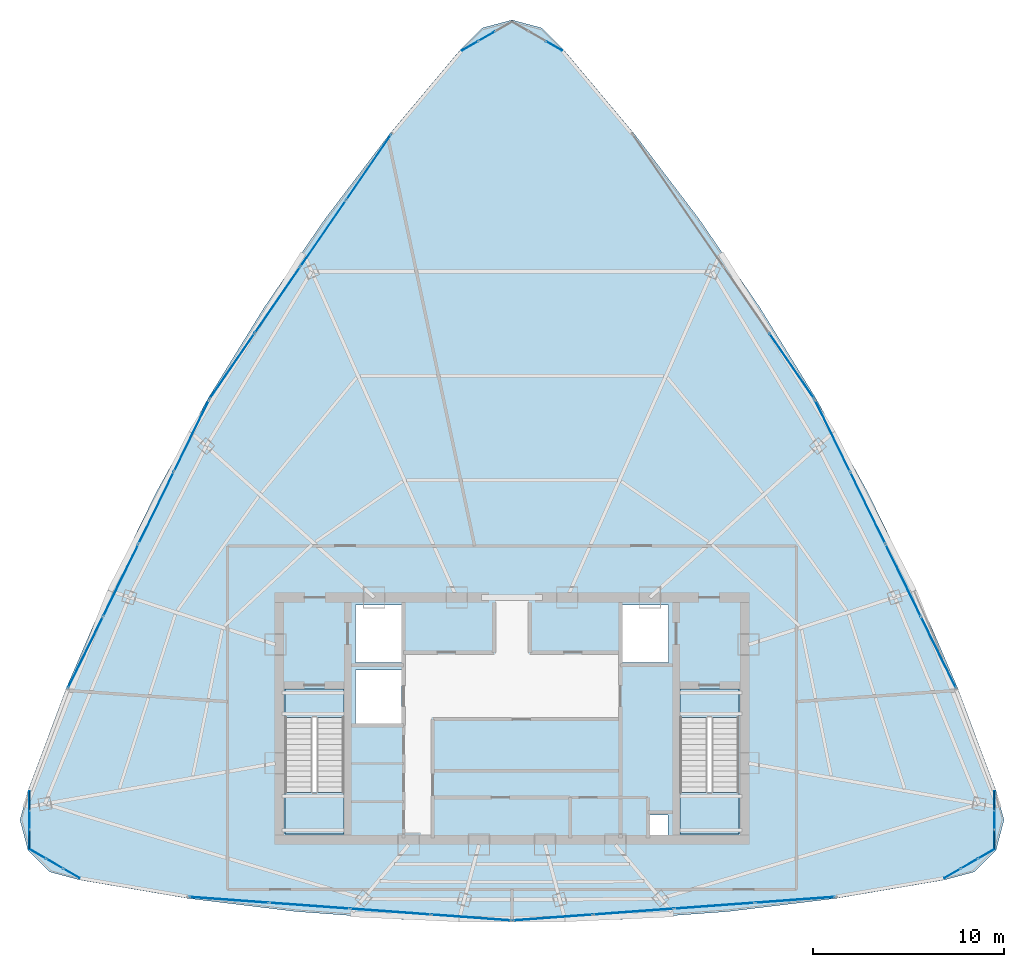
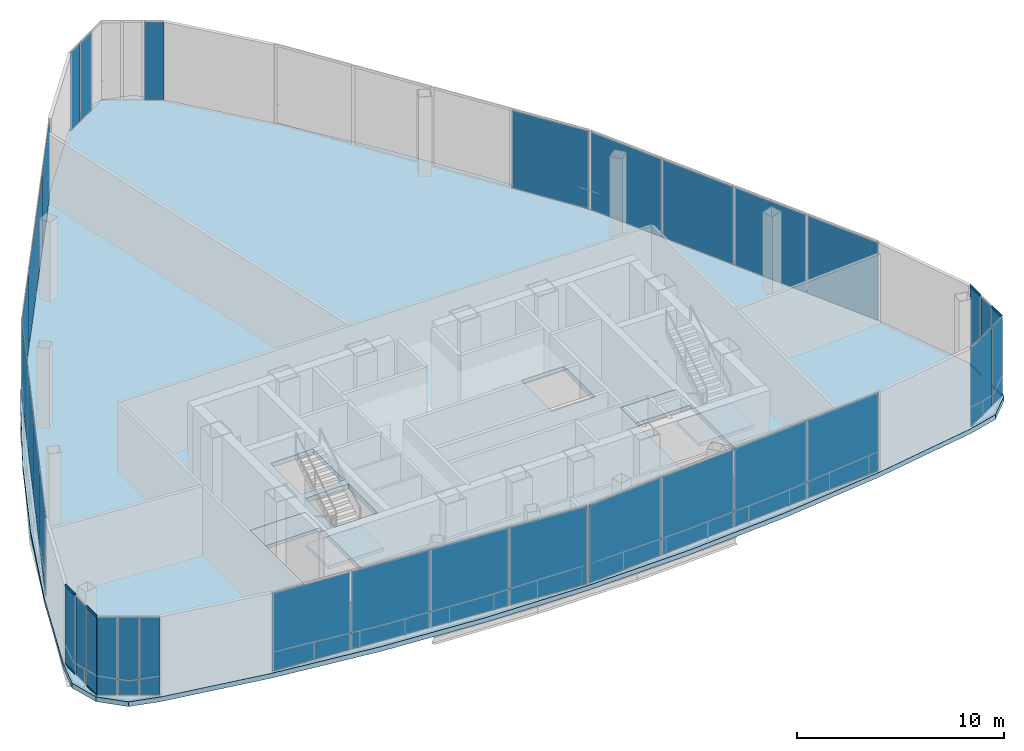
# One storey, part 28 of 33: 36 plates, 8 members, 5 slabs, 14 elements without a shape of their own.
"""IFC4 building model written with IfcOpenShell, lengths in metres."""

from ifc_helpers import new_model, si_unit, direction, frame, origin, origin_2d, place, context, subcontext, project, spatial, polyline, rectangle, hollow_rectangle, outline, extrude, source, transform, mapped, material, layer, layer_set, material_profile, profile_set, type_object, element, aggregate, save


model = new_model("IFC4")

# Units and contexts
model_context = context("Model", 3, precision=1e-05, world=origin(), true_north=direction((0.0, 1.0)))
body_context = subcontext(model_context, "Body", "Model", "MODEL_VIEW")
ifc_project = project(units=[si_unit("LENGTHUNIT", "METRE"), si_unit("AREAUNIT", "SQUARE_METRE"), si_unit("VOLUMEUNIT", "CUBIC_METRE"), si_unit("PLANEANGLEUNIT", "RADIAN"), si_unit("MASSUNIT", "GRAM", prefix="KILO"), si_unit("THERMODYNAMICTEMPERATUREUNIT", "KELVIN"), si_unit("POWERUNIT", "WATT")], contexts=[model_context])

# Site, building, storey
site_placement = place(None, origin())
site = spatial("IfcSite", under=ifc_project, at=site_placement, CompositionType="ELEMENT")
building_placement = place(site_placement, origin())
building = spatial("IfcBuilding", under=site, at=building_placement, Name="Yunzhuo Pagoda Commons", CompositionType="ELEMENT")
storey_placement = place(building_placement, frame((0.0, 0.0, 391.760009765625)))
storey = spatial("IfcBuildingStorey", under=building, at=storey_placement, Name="L97", CompositionType="ELEMENT", Elevation=391.760009765625)

# Curtain wall, members
ifc_material_1 = material(Name="Anodized aluminium 6063-T6", Category="aluminium")
ifc_layer_1 = layer(ifc_material_1, 0.1298828125)
ifc_layer_set_1 = layer_set([ifc_layer_1], Name="Anodized aluminium 6063-T6")
curtain_wall_type_1 = type_object("IfcCurtainWallType", Name="CW-VTX Rounded Corner Curtain Wall", PredefinedType="NOTDEFINED", material=ifc_layer_set_1)
curtain_wall_1_placement = place(storey_placement, origin())
curtain_wall_1 = element("IfcCurtainWall", 1, at=curtain_wall_1_placement, inside=storey, type_object=curtain_wall_type_1, Name="L97 curtain wall CW-L97-CRNV1S1", PredefinedType="NOTDEFINED")
ifc_material_profile = material_profile(ifc_material_1, hollow_rectangle(XDim=0.054931640625, YDim=0.1201171875, WallThickness=0.00341796875, at=origin_2d()), Name="Anodized aluminium 6063-T6")
ifc_profile_set = profile_set([ifc_material_profile], Name="Anodized aluminium 6063-T6")
member_type = type_object("IfcMemberType", Name="CW-VTX-T Transom RHS 120x55x3.5", PredefinedType="USERDEFINED", material=ifc_profile_set)
shared_shape_1 = source(origin(), body_context, "Body", "SweptSolid", [
    extrude(hollow_rectangle(XDim=0.054931640625, YDim=0.1201171875, WallThickness=0.00341796875, at=origin_2d()), origin(), (0.0, 0.0, 1.0), 0.963623046875),
])
member_1_placement = place(storey_placement, frame((22.728759765625, 30.0537109375, 0.027587890625), z_axis=(-0.003546975407, -0.999993709463, 0.0), x_axis=(0.999993709463, -0.003546975407, 0.0)))
member_1 = element("IfcMember", 2, at=member_1_placement, type_object=member_type, Name="CW transom 1.1", ObjectType="TRANSOM", PredefinedType="USERDEFINED", context=body_context, shape_type="MappedRepresentation", body=[
    mapped(shared_shape_1, transform((0.0, 0.0, 0.0), scale=1.0)),
])
member_2_placement = place(storey_placement, frame((22.728759765625, 30.0537109375, 4.6923828125), z_axis=(-0.003546975407, -0.999993709463, 0.0), x_axis=(0.999993709463, -0.003546975407, 0.0)))
member_2 = element("IfcMember", 3, at=member_2_placement, type_object=member_type, Name="CW transom 1.2", ObjectType="TRANSOM", PredefinedType="USERDEFINED", context=body_context, shape_type="MappedRepresentation", body=[
    mapped(shared_shape_1, transform((0.0, 0.0, 0.0), scale=1.0)),
])
member_3_placement = place(storey_placement, frame((22.7216796875, 27.989013671875, 0.027587890625), z_axis=(-0.003800327256, -0.99999277873, 0.0), x_axis=(0.99999277873, -0.003800327256, 0.0)))
member_3 = element("IfcMember", 4, at=member_3_placement, type_object=member_type, Name="CW transom 3.1", ObjectType="TRANSOM", PredefinedType="USERDEFINED", context=body_context, shape_type="MappedRepresentation", body=[
    mapped(shared_shape_1, transform((0.0, 0.0, 0.0), scale=1.0)),
])
member_4_placement = place(storey_placement, frame((22.7216796875, 27.989013671875, 4.6923828125), z_axis=(-0.003800327256, -0.99999277873, 0.0), x_axis=(0.99999277873, -0.003800327256, 0.0)))
member_4 = element("IfcMember", 5, at=member_4_placement, type_object=member_type, Name="CW transom 3.2", ObjectType="TRANSOM", PredefinedType="USERDEFINED", context=body_context, shape_type="MappedRepresentation", body=[
    mapped(shared_shape_1, transform((0.0, 0.0, 0.0), scale=1.0)),
])

curtain_wall_2_placement = place(storey_placement, origin())
curtain_wall_2 = element("IfcCurtainWall", 6, at=curtain_wall_2_placement, inside=storey, type_object=curtain_wall_type_1, Name="L97 curtain wall CW-L97-CRNV2S2", PredefinedType="NOTDEFINED")
member_5_placement = place(storey_placement, frame((73.281982421875, 27.025390625, 0.027587890625), z_axis=(-0.003293622875, 0.999994576009, 0.0), x_axis=(-0.999994576009, -0.003293622875, 0.0)))
member_5 = element("IfcMember", 7, at=member_5_placement, type_object=member_type, Name="CW transom 1.1", ObjectType="TRANSOM", PredefinedType="USERDEFINED", context=body_context, shape_type="MappedRepresentation", body=[
    mapped(shared_shape_1, transform((0.0, 0.0, 0.0), scale=1.0)),
])
member_6_placement = place(storey_placement, frame((73.281982421875, 27.025390625, 4.6923828125), z_axis=(-0.003293622875, 0.999994576009, 0.0), x_axis=(-0.999994576009, -0.003293622875, 0.0)))
member_6 = element("IfcMember", 8, at=member_6_placement, type_object=member_type, Name="CW transom 1.2", ObjectType="TRANSOM", PredefinedType="USERDEFINED", context=body_context, shape_type="MappedRepresentation", body=[
    mapped(shared_shape_1, transform((0.0, 0.0, 0.0), scale=1.0)),
])
member_7_placement = place(storey_placement, frame((73.274658203125, 29.090087890625, 0.027587890625), z_axis=(-0.003546975407, 0.999993709463, 0.0), x_axis=(-0.999993709463, -0.003546975407, 0.0)))
member_7 = element("IfcMember", 9, at=member_7_placement, type_object=member_type, Name="CW transom 3.1", ObjectType="TRANSOM", PredefinedType="USERDEFINED", context=body_context, shape_type="MappedRepresentation", body=[
    mapped(shared_shape_1, transform((0.0, 0.0, 0.0), scale=1.0)),
])
member_8_placement = place(storey_placement, frame((73.274658203125, 29.090087890625, 4.6923828125), z_axis=(-0.003546975407, 0.999993709463, 0.0), x_axis=(-0.999993709463, -0.003546975407, 0.0)))
member_8 = element("IfcMember", 10, at=member_8_placement, type_object=member_type, Name="CW transom 3.2", ObjectType="TRANSOM", PredefinedType="USERDEFINED", context=body_context, shape_type="MappedRepresentation", body=[
    mapped(shared_shape_1, transform((0.0, 0.0, 0.0), scale=1.0)),
])

# Stair, slabs
ifc_material_2 = material(Name="Concrete C40", Category="concrete")
stair_type_1 = type_object("IfcStairType", Name="ST-C1 Core Smokeproof Stair ST1", PredefinedType="HALF_TURN_STAIR", material=ifc_material_2)
stair_1_placement = place(storey_placement, origin())
stair_1 = element("IfcStair", 11, at=stair_1_placement, inside=storey, type_object=stair_type_1, Name="L97 Core smokeproof stair ST1", PredefinedType="HALF_TURN_STAIR")
ifc_layer_2 = layer(ifc_material_2, 0.199951171875)
ifc_layer_set_2 = layer_set([ifc_layer_2], Name="Concrete C40")
slab_type_1 = type_object("IfcSlabType", Name="SL-LND1 Stair Landing Slab 200", PredefinedType="LANDING", material=ifc_layer_set_2)
slab_1_placement = place(storey_placement, frame((0.0, 0.0, 2.300048828125)))
slab_1 = element("IfcSlab", 12, at=slab_1_placement, type_object=slab_type_1, Name="ST1 landing 1", PredefinedType="LANDING", context=body_context, shape_type="SweptSolid", body=[
    extrude(outline(polyline([(36.10009765625, 29.97998046875), (36.10009765625, 27.800048828125), (39.199951171875, 27.800048828125), (39.199951171875, 29.97998046875), (36.10009765625, 29.97998046875)])), origin(), (0.0, 0.0, 1.0), 0.199951171875),
])
slab_2_placement = place(storey_placement, frame((0.0, 0.0, -0.199951171875)))
slab_2 = element("IfcSlab", 13, at=slab_2_placement, type_object=slab_type_1, Name="ST1 floor landing L97", PredefinedType="LANDING", context=body_context, shape_type="SweptSolid", body=[
    extrude(outline(polyline([(36.10009765625, 35.39990234375), (36.10009765625, 33.89990234375), (39.199951171875, 33.89990234375), (39.199951171875, 35.39990234375), (36.10009765625, 35.39990234375)])), origin(), (0.0, 0.0, 1.0), 0.199951171875),
])
aggregate(stair_1, [slab_1, slab_2])

stair_type_2 = type_object("IfcStairType", Name="ST-C2 Core Smokeproof Stair ST2", PredefinedType="HALF_TURN_STAIR", material=ifc_material_2)
stair_2_placement = place(storey_placement, origin())
stair_2 = element("IfcStair", 14, at=stair_2_placement, inside=storey, type_object=stair_type_2, Name="L97 Core smokeproof stair ST2", PredefinedType="HALF_TURN_STAIR")
ifc_layer_3 = layer(ifc_material_2, 0.201904296875)
ifc_layer_set_3 = layer_set([ifc_layer_3], Name="Concrete C40")
slab_type_2 = type_object("IfcSlabType", Name="SL-LND2 Stair Landing Slab 202", PredefinedType="LANDING", material=ifc_layer_set_3)
slab_3_placement = place(storey_placement, frame((0.0, 0.0, 2.300048828125)))
slab_3 = element("IfcSlab", 15, at=slab_3_placement, type_object=slab_type_2, Name="ST2 landing 1", PredefinedType="LANDING", context=body_context, shape_type="SweptSolid", body=[
    extrude(outline(polyline([(56.800048828125, 29.97998046875), (56.800048828125, 27.800048828125), (59.89990234375, 27.800048828125), (59.89990234375, 29.97998046875), (56.800048828125, 29.97998046875)])), origin(), (0.0, 0.0, 1.0), 0.199951171875),
])
slab_4_placement = place(storey_placement, frame((0.0, 0.0, -0.199951171875)))
slab_4 = element("IfcSlab", 16, at=slab_4_placement, type_object=slab_type_2, Name="ST2 floor landing L97", PredefinedType="LANDING", context=body_context, shape_type="SweptSolid", body=[
    extrude(outline(polyline([(56.800048828125, 35.39990234375), (56.800048828125, 33.89990234375), (59.89990234375, 33.89990234375), (59.89990234375, 35.39990234375), (56.800048828125, 35.39990234375)])), origin(), (0.0, 0.0, 1.0), 0.199951171875),
])
aggregate(stair_2, [slab_3, slab_4])

# Slab
ifc_layer_4 = layer(ifc_material_2, 0.280029296875)
ifc_layer_set_4 = layer_set([ifc_layer_4], Name="Concrete C40")
slab_type_3 = type_object("IfcSlabType", Name="SL-POD Podium & Refuge Floor Slab 280", PredefinedType="FLOOR", material=ifc_layer_set_4)
slab_5_placement = place(storey_placement, frame((0.0, 0.0, -0.280029296875)))
element("IfcSlab", 17, at=slab_5_placement, inside=storey, type_object=slab_type_3, Name="L97 structural floor slab", PredefinedType="FLOOR", context=body_context, shape_type="SweptSolid", body=[
    extrude(outline(polyline([(24.64697265625, 35.4443359375), (26.8828125, 40.64111328125), (29.356689453125, 45.69873046875), (32.068603515625, 50.61767578125), (35.018310546875, 55.397705078125), (38.2060546875, 60.038818359375), (41.631591796875, 64.541015625), (45.295166015625, 68.904296875), (46.4404296875, 70.04150390625), (48.0, 70.457275390625), (49.5595703125, 70.04150390625), (50.704833984375, 68.904296875), (54.368408203125, 64.541015625), (57.7939453125, 60.038818359375), (60.981689453125, 55.397705078125), (63.931396484375, 50.61767578125), (66.643310546875, 45.69873046875), (69.1171875, 40.64111328125), (71.35302734375, 35.4443359375), (73.35107421875, 30.10888671875), (73.7783203125, 28.541259765625), (73.3623046875, 26.970458984375), (72.21533203125, 25.819580078125), (70.646240234375, 25.39794921875), (64.984619140625, 24.43359375), (59.322998046875, 23.7451171875), (53.66162109375, 23.331787109375), (48.0, 23.194091796875), (42.33837890625, 23.331787109375), (36.677001953125, 23.7451171875), (31.015380859375, 24.43359375), (25.353759765625, 25.39794921875), (23.78466796875, 25.819580078125), (22.6376953125, 26.970458984375), (22.2216796875, 28.541259765625), (22.64892578125, 30.10888671875), (24.64697265625, 35.4443359375)]), holes=[polyline([(55.179931640625, 28.800048828125), (55.179931640625, 27.699951171875), (56.179931640625, 27.699951171875), (56.179931640625, 28.800048828125), (55.179931640625, 28.800048828125)]), polyline([(39.199951171875, 27.800048828125), (39.199951171875, 35.39990234375), (36.10009765625, 35.39990234375), (36.10009765625, 27.800048828125), (39.199951171875, 27.800048828125)]), polyline([(59.89990234375, 27.800048828125), (59.89990234375, 35.39990234375), (56.800048828125, 35.39990234375), (56.800048828125, 27.800048828125), (59.89990234375, 27.800048828125)]), polyline([(39.800048828125, 36.39990234375), (39.800048828125, 33.60009765625), (42.199951171875, 33.60009765625), (42.199951171875, 36.39990234375), (39.800048828125, 36.39990234375)]), polyline([(42.199951171875, 39.800048828125), (39.800048828125, 39.800048828125), (39.800048828125, 36.800048828125), (42.199951171875, 36.800048828125), (42.199951171875, 39.800048828125)]), polyline([(56.199951171875, 39.800048828125), (53.800048828125, 39.800048828125), (53.800048828125, 36.800048828125), (56.199951171875, 36.800048828125), (56.199951171875, 39.800048828125)])]), origin(), (0.0, 0.0, 1.0), 0.280029296875),
])

# Curtain wall, plates
ifc_layer_5 = layer(ifc_material_1, 0.179931640625)
ifc_layer_set_5 = layer_set([ifc_layer_5], Name="Anodized aluminium 6063-T6")
curtain_wall_type_2 = type_object("IfcCurtainWallType", Name="CW-CRN Crown Gable Glazing System", PredefinedType="NOTDEFINED", material=ifc_layer_set_5)
curtain_wall_3_placement = place(storey_placement, origin())
curtain_wall_3 = element("IfcCurtainWall", 18, at=curtain_wall_3_placement, inside=storey, type_object=curtain_wall_type_2, Name="L97 curtain wall CW-L97-CRNF1G1", PredefinedType="NOTDEFINED")
ifc_material_3 = material(Name="Tempered low-e double glazing", Category="glass")
ifc_layer_6 = layer(ifc_material_3, 0.030029296875)
ifc_layer_set_6 = layer_set([ifc_layer_6], Name="Tempered low-e double glazing")
plate_type_1 = type_object("IfcPlateType", Name="CW-CRN-P Low-E Double Glazing 30", PredefinedType="CURTAIN_PANEL", material=ifc_layer_set_6)
shared_shape_2 = source(origin(), body_context, "Body", "SweptSolid", [
    extrude(rectangle(XDim=4.159912109375, YDim=0.028076171875, at=origin_2d()), origin(), (0.0, 0.0, 1.0), 4.60009765625),
])
plate_1_placement = place(storey_placement, frame((33.160400390625, 24.357421875, 0.06005859375), z_axis=(0.0, 0.0, 1.0), x_axis=(0.997346882924, -0.072795570763, 0.0)))
plate_1 = element("IfcPlate", 19, at=plate_1_placement, type_object=plate_type_1, Name="CW panel 1.1", PredefinedType="CURTAIN_PANEL", context=body_context, shape_type="MappedRepresentation", body=[
    mapped(shared_shape_2, transform((0.0, 0.0, 0.0), scale=1.0)),
])
plate_2_placement = place(storey_placement, frame((45.866455078125, 23.429931640625, 0.06005859375), z_axis=(0.0, 0.0, 1.0), x_axis=(0.997346882924, -0.072795570763, 0.0)))
plate_2 = element("IfcPlate", 20, at=plate_2_placement, type_object=plate_type_1, Name="CW panel 4.1", PredefinedType="CURTAIN_PANEL", context=body_context, shape_type="MappedRepresentation", body=[
    mapped(shared_shape_2, transform((0.0, 0.0, 0.0), scale=1.0)),
])

curtain_wall_4_placement = place(storey_placement, origin())
curtain_wall_4 = element("IfcCurtainWall", 21, at=curtain_wall_4_placement, inside=storey, type_object=curtain_wall_type_2, Name="L97 curtain wall CW-L97-CRNF1G2", PredefinedType="NOTDEFINED")
plate_3_placement = place(storey_placement, frame((50.133544921875, 23.429931640625, 0.06005859375), z_axis=(0.0, 0.0, 1.0), x_axis=(0.997346851806, 0.072795997095, 0.0)))
plate_3 = element("IfcPlate", 22, at=plate_3_placement, type_object=plate_type_1, Name="CW panel 1.1", PredefinedType="CURTAIN_PANEL", context=body_context, shape_type="MappedRepresentation", body=[
    mapped(shared_shape_2, transform((0.0, 0.0, 0.0), scale=1.0)),
])
plate_4_placement = place(storey_placement, frame((62.839599609375, 24.357421875, 0.06005859375), z_axis=(0.0, 0.0, 1.0), x_axis=(0.997346851806, 0.072795997095, 0.0)))
plate_4 = element("IfcPlate", 23, at=plate_4_placement, type_object=plate_type_1, Name="CW panel 4.1", PredefinedType="CURTAIN_PANEL", context=body_context, shape_type="MappedRepresentation", body=[
    mapped(shared_shape_2, transform((0.0, 0.0, 0.0), scale=1.0)),
])

# Plate
shared_shape_3 = source(origin(), body_context, "Body", "SweptSolid", [
    extrude(rectangle(XDim=4.1923828125, YDim=0.028076171875, at=origin_2d()), origin(), (0.0, 0.0, 1.0), 4.60009765625),
])
plate_5_placement = place(storey_placement, frame((37.390380859375, 24.048583984375, 0.06005859375), z_axis=(0.0, 0.0, 1.0), x_axis=(0.997346882924, -0.072795570763, 0.0)))
plate_5 = element("IfcPlate", 24, at=plate_5_placement, type_object=plate_type_1, Name="CW panel 2.1", PredefinedType="CURTAIN_PANEL", context=body_context, shape_type="MappedRepresentation", body=[
    mapped(shared_shape_3, transform((0.0, 0.0, 0.0), scale=1.0)),
])

plate_6_placement = place(storey_placement, frame((41.636474609375, 23.73876953125, 0.06005859375), z_axis=(0.0, 0.0, 1.0), x_axis=(0.997346882924, -0.072795570763, 0.0)))
plate_6 = element("IfcPlate", 25, at=plate_6_placement, type_object=plate_type_1, Name="CW panel 3.1", PredefinedType="CURTAIN_PANEL", context=body_context, shape_type="MappedRepresentation", body=[
    mapped(shared_shape_3, transform((0.0, 0.0, 0.0), scale=1.0)),
])

aggregate(curtain_wall_3, [plate_1, plate_5, plate_6, plate_2])

plate_7_placement = place(storey_placement, frame((54.363525390625, 23.73876953125, 0.06005859375), z_axis=(0.0, 0.0, 1.0), x_axis=(0.997346851806, 0.072795997095, 0.0)))
plate_7 = element("IfcPlate", 26, at=plate_7_placement, type_object=plate_type_1, Name="CW panel 2.1", PredefinedType="CURTAIN_PANEL", context=body_context, shape_type="MappedRepresentation", body=[
    mapped(shared_shape_3, transform((0.0, 0.0, 0.0), scale=1.0)),
])

plate_8_placement = place(storey_placement, frame((58.609619140625, 24.048583984375, 0.06005859375), z_axis=(0.0, 0.0, 1.0), x_axis=(0.997346851806, 0.072795997095, 0.0)))
plate_8 = element("IfcPlate", 27, at=plate_8_placement, type_object=plate_type_1, Name="CW panel 3.1", PredefinedType="CURTAIN_PANEL", context=body_context, shape_type="MappedRepresentation", body=[
    mapped(shared_shape_3, transform((0.0, 0.0, 0.0), scale=1.0)),
])

aggregate(curtain_wall_4, [plate_3, plate_7, plate_8, plate_4])

# Curtain wall, plates
curtain_wall_5_placement = place(storey_placement, origin())
curtain_wall_5 = element("IfcCurtainWall", 28, at=curtain_wall_5_placement, inside=storey, type_object=curtain_wall_type_2, Name="L97 curtain wall CW-L97-CRNF2G1", PredefinedType="NOTDEFINED")
shared_shape_4 = source(origin(), body_context, "Body", "SweptSolid", [
    extrude(rectangle(XDim=4.125244140625, YDim=0.028076171875, at=origin_2d()), origin(), (0.0, 0.0, 1.0), 4.60009765625),
])
plate_9_placement = place(storey_placement, frame((70.346435546875, 37.320556640625, 0.06005859375), z_axis=(0.0, 0.0, 1.0), x_axis=(-0.439384156839, 0.898299261226, 0.0)))
plate_9 = element("IfcPlate", 29, at=plate_9_placement, type_object=plate_type_1, Name="CW panel 1.1", PredefinedType="CURTAIN_PANEL", context=body_context, shape_type="MappedRepresentation", body=[
    mapped(shared_shape_4, transform((0.0, 0.0, 0.0), scale=1.0)),
])
plate_10_placement = place(storey_placement, frame((64.79443359375, 48.671142578125, 0.06005859375), z_axis=(0.0, 0.0, 1.0), x_axis=(-0.439384156839, 0.898299261226, 0.0)))
plate_10 = element("IfcPlate", 30, at=plate_10_placement, type_object=plate_type_1, Name="CW panel 4.1", PredefinedType="CURTAIN_PANEL", context=body_context, shape_type="MappedRepresentation", body=[
    mapped(shared_shape_4, transform((0.0, 0.0, 0.0), scale=1.0)),
])

# Curtain wall, plate
curtain_wall_6_placement = place(storey_placement, origin())
curtain_wall_6 = element("IfcCurtainWall", 31, at=curtain_wall_6_placement, inside=storey, type_object=curtain_wall_type_2, Name="L97 curtain wall CW-L97-CRNF2G2", PredefinedType="NOTDEFINED")
plate_11_placement = place(storey_placement, frame((62.660888671875, 52.326171875, 0.06005859375), z_axis=(0.0, 0.0, 1.0), x_axis=(-0.566158911561, 0.824296116005, 0.0)))
plate_11 = element("IfcPlate", 32, at=plate_11_placement, type_object=plate_type_1, Name="CW panel 1.1", PredefinedType="CURTAIN_PANEL", context=body_context, shape_type="MappedRepresentation", body=[
    mapped(shared_shape_4, transform((0.0, 0.0, 0.0), scale=1.0)),
])
aggregate(curtain_wall_6, [plate_11])

# Curtain wall, plates
curtain_wall_7_placement = place(storey_placement, origin())
curtain_wall_7 = element("IfcCurtainWall", 33, at=curtain_wall_7_placement, inside=storey, type_object=curtain_wall_type_2, Name="L97 curtain wall CW-L97-CRNF3G1", PredefinedType="NOTDEFINED")
plate_12_placement = place(storey_placement, frame((40.492919921875, 62.74169921875, 0.06005859375), z_axis=(0.0, 0.0, 1.0), x_axis=(-0.566158911561, -0.824296116005, 0.0)))
plate_12 = element("IfcPlate", 34, at=plate_12_placement, type_object=plate_type_1, Name="CW panel 1.1", PredefinedType="CURTAIN_PANEL", context=body_context, shape_type="MappedRepresentation", body=[
    mapped(shared_shape_4, transform((0.0, 0.0, 0.0), scale=1.0)),
])
plate_13_placement = place(storey_placement, frame((33.339111328125, 52.326171875, 0.06005859375), z_axis=(0.0, 0.0, 1.0), x_axis=(-0.566158911561, -0.824296116005, 0.0)))
plate_13 = element("IfcPlate", 35, at=plate_13_placement, type_object=plate_type_1, Name="CW panel 4.1", PredefinedType="CURTAIN_PANEL", context=body_context, shape_type="MappedRepresentation", body=[
    mapped(shared_shape_4, transform((0.0, 0.0, 0.0), scale=1.0)),
])

curtain_wall_8_placement = place(storey_placement, origin())
curtain_wall_8 = element("IfcCurtainWall", 36, at=curtain_wall_8_placement, inside=storey, type_object=curtain_wall_type_2, Name="L97 curtain wall CW-L97-CRNF3G2", PredefinedType="NOTDEFINED")
plate_14_placement = place(storey_placement, frame((31.20556640625, 48.671142578125, 0.06005859375), z_axis=(0.0, 0.0, 1.0), x_axis=(-0.439384156839, -0.898299261226, 0.0)))
plate_14 = element("IfcPlate", 37, at=plate_14_placement, type_object=plate_type_1, Name="CW panel 1.1", PredefinedType="CURTAIN_PANEL", context=body_context, shape_type="MappedRepresentation", body=[
    mapped(shared_shape_4, transform((0.0, 0.0, 0.0), scale=1.0)),
])
plate_15_placement = place(storey_placement, frame((25.653564453125, 37.320556640625, 0.06005859375), z_axis=(0.0, 0.0, 1.0), x_axis=(-0.439384156839, -0.898299261226, 0.0)))
plate_15 = element("IfcPlate", 38, at=plate_15_placement, type_object=plate_type_1, Name="CW panel 4.1", PredefinedType="CURTAIN_PANEL", context=body_context, shape_type="MappedRepresentation", body=[
    mapped(shared_shape_4, transform((0.0, 0.0, 0.0), scale=1.0)),
])

# Plate
shared_shape_5 = source(origin(), body_context, "Body", "SweptSolid", [
    extrude(rectangle(XDim=4.15771484375, YDim=0.028076171875, at=origin_2d()), origin(), (0.0, 0.0, 1.0), 4.60009765625),
])
plate_16_placement = place(storey_placement, frame((68.498046875, 41.09912109375, 0.06005859375), z_axis=(0.0, 0.0, 1.0), x_axis=(-0.439384156839, 0.898299261226, 0.0)))
plate_16 = element("IfcPlate", 39, at=plate_16_placement, type_object=plate_type_1, Name="CW panel 2.1", PredefinedType="CURTAIN_PANEL", context=body_context, shape_type="MappedRepresentation", body=[
    mapped(shared_shape_5, transform((0.0, 0.0, 0.0), scale=1.0)),
])

plate_17_placement = place(storey_placement, frame((66.642578125, 44.892578125, 0.06005859375), z_axis=(0.0, 0.0, 1.0), x_axis=(-0.439384156839, 0.898299261226, 0.0)))
plate_17 = element("IfcPlate", 40, at=plate_17_placement, type_object=plate_type_1, Name="CW panel 3.1", PredefinedType="CURTAIN_PANEL", context=body_context, shape_type="MappedRepresentation", body=[
    mapped(shared_shape_5, transform((0.0, 0.0, 0.0), scale=1.0)),
])

aggregate(curtain_wall_5, [plate_9, plate_16, plate_17, plate_10])

plate_18_placement = place(storey_placement, frame((38.111328125, 59.2744140625, 0.06005859375), z_axis=(0.0, 0.0, 1.0), x_axis=(-0.566158911561, -0.824296116005, 0.0)))
plate_18 = element("IfcPlate", 41, at=plate_18_placement, type_object=plate_type_1, Name="CW panel 2.1", PredefinedType="CURTAIN_PANEL", context=body_context, shape_type="MappedRepresentation", body=[
    mapped(shared_shape_5, transform((0.0, 0.0, 0.0), scale=1.0)),
])

plate_19_placement = place(storey_placement, frame((35.720703125, 55.793701171875, 0.06005859375), z_axis=(0.0, 0.0, 1.0), x_axis=(-0.566158911561, -0.824296116005, 0.0)))
plate_19 = element("IfcPlate", 42, at=plate_19_placement, type_object=plate_type_1, Name="CW panel 3.1", PredefinedType="CURTAIN_PANEL", context=body_context, shape_type="MappedRepresentation", body=[
    mapped(shared_shape_5, transform((0.0, 0.0, 0.0), scale=1.0)),
])

aggregate(curtain_wall_7, [plate_12, plate_18, plate_19, plate_13])

plate_20_placement = place(storey_placement, frame((29.357421875, 44.892578125, 0.06005859375), z_axis=(0.0, 0.0, 1.0), x_axis=(-0.439384156839, -0.898299261226, 0.0)))
plate_20 = element("IfcPlate", 43, at=plate_20_placement, type_object=plate_type_1, Name="CW panel 2.1", PredefinedType="CURTAIN_PANEL", context=body_context, shape_type="MappedRepresentation", body=[
    mapped(shared_shape_5, transform((0.0, 0.0, 0.0), scale=1.0)),
])

plate_21_placement = place(storey_placement, frame((27.501953125, 41.09912109375, 0.06005859375), z_axis=(0.0, 0.0, 1.0), x_axis=(-0.439384156839, -0.898299261226, 0.0)))
plate_21 = element("IfcPlate", 44, at=plate_21_placement, type_object=plate_type_1, Name="CW panel 3.1", PredefinedType="CURTAIN_PANEL", context=body_context, shape_type="MappedRepresentation", body=[
    mapped(shared_shape_5, transform((0.0, 0.0, 0.0), scale=1.0)),
])

aggregate(curtain_wall_8, [plate_14, plate_20, plate_21, plate_15])

ifc_layer_7 = layer(ifc_material_3, 0.02587890625)
ifc_layer_set_7 = layer_set([ifc_layer_7], Name="Tempered low-e double glazing")
plate_type_2 = type_object("IfcPlateType", Name="CW-VTX-P Low-E Double Glazing 26", PredefinedType="CURTAIN_PANEL", material=ifc_layer_set_7)
shared_shape_6 = source(origin(), body_context, "Body", "SweptSolid", [
    extrude(rectangle(XDim=0.963623046875, YDim=0.028076171875, at=origin_2d()), origin(), (0.0, 0.0, 1.0), 4.610107421875),
])
plate_22_placement = place(storey_placement, frame((22.72705078125, 29.57177734375, 0.05517578125), z_axis=(0.0, 0.0, 1.0), x_axis=(-0.003568674704, -0.99999363226, 0.0)))
plate_22 = element("IfcPlate", 45, at=plate_22_placement, type_object=plate_type_2, Name="CW panel 1.1", PredefinedType="CURTAIN_PANEL", context=body_context, shape_type="MappedRepresentation", body=[
    mapped(shared_shape_6, transform((0.0, 0.0, 0.0), scale=1.0)),
])

plate_23_placement = place(storey_placement, frame((22.7197265625, 27.507080078125, 0.05517578125), z_axis=(0.0, 0.0, 1.0), x_axis=(-0.003568674704, -0.99999363226, 0.0)))
plate_23 = element("IfcPlate", 46, at=plate_23_placement, type_object=plate_type_2, Name="CW panel 3.1", PredefinedType="CURTAIN_PANEL", context=body_context, shape_type="MappedRepresentation", body=[
    mapped(shared_shape_6, transform((0.0, 0.0, 0.0), scale=1.0)),
])

# Curtain wall, plates
curtain_wall_9_placement = place(storey_placement, origin())
curtain_wall_9 = element("IfcCurtainWall", 47, at=curtain_wall_9_placement, inside=storey, type_object=curtain_wall_type_1, Name="L97 curtain wall CW-L97-CRNV1S2", PredefinedType="NOTDEFINED")
plate_24_placement = place(storey_placement, frame((23.142333984375, 26.770751953125, 0.05517578125), z_axis=(0.0, 0.0, 1.0), x_axis=(0.865423376836, -0.501041294531, 0.0)))
plate_24 = element("IfcPlate", 48, at=plate_24_placement, type_object=plate_type_2, Name="CW panel 1.1", PredefinedType="CURTAIN_PANEL", context=body_context, shape_type="MappedRepresentation", body=[
    mapped(shared_shape_6, transform((0.0, 0.0, 0.0), scale=1.0)),
])
plate_25_placement = place(storey_placement, frame((24.92919921875, 25.736083984375, 0.05517578125), z_axis=(0.0, 0.0, 1.0), x_axis=(0.865423376836, -0.501041294531, 0.0)))
plate_25 = element("IfcPlate", 49, at=plate_25_placement, type_object=plate_type_2, Name="CW panel 3.1", PredefinedType="CURTAIN_PANEL", context=body_context, shape_type="MappedRepresentation", body=[
    mapped(shared_shape_6, transform((0.0, 0.0, 0.0), scale=1.0)),
])

curtain_wall_10_placement = place(storey_placement, origin())
curtain_wall_10 = element("IfcCurtainWall", 50, at=curtain_wall_10_placement, inside=storey, type_object=curtain_wall_type_1, Name="L97 curtain wall CW-L97-CRNV2S1", PredefinedType="NOTDEFINED")
plate_26_placement = place(storey_placement, frame((71.07080078125, 25.736083984375, 0.05517578125), z_axis=(0.0, 0.0, 1.0), x_axis=(0.865423376836, 0.501041294531, 0.0)))
plate_26 = element("IfcPlate", 51, at=plate_26_placement, type_object=plate_type_2, Name="CW panel 1.1", PredefinedType="CURTAIN_PANEL", context=body_context, shape_type="MappedRepresentation", body=[
    mapped(shared_shape_6, transform((0.0, 0.0, 0.0), scale=1.0)),
])
plate_27_placement = place(storey_placement, frame((72.857666015625, 26.770751953125, 0.05517578125), z_axis=(0.0, 0.0, 1.0), x_axis=(0.865423376836, 0.501041294531, 0.0)))
plate_27 = element("IfcPlate", 52, at=plate_27_placement, type_object=plate_type_2, Name="CW panel 3.1", PredefinedType="CURTAIN_PANEL", context=body_context, shape_type="MappedRepresentation", body=[
    mapped(shared_shape_6, transform((0.0, 0.0, 0.0), scale=1.0)),
])

# Plate
plate_28_placement = place(storey_placement, frame((73.2802734375, 27.507080078125, 0.05517578125), z_axis=(0.0, 0.0, 1.0), x_axis=(-0.003568674704, 0.99999363226, 0.0)))
plate_28 = element("IfcPlate", 53, at=plate_28_placement, type_object=plate_type_2, Name="CW panel 1.1", PredefinedType="CURTAIN_PANEL", context=body_context, shape_type="MappedRepresentation", body=[
    mapped(shared_shape_6, transform((0.0, 0.0, 0.0), scale=1.0)),
])

plate_29_placement = place(storey_placement, frame((73.27294921875, 29.57177734375, 0.05517578125), z_axis=(0.0, 0.0, 1.0), x_axis=(-0.003568674704, 0.99999363226, 0.0)))
plate_29 = element("IfcPlate", 54, at=plate_29_placement, type_object=plate_type_2, Name="CW panel 3.1", PredefinedType="CURTAIN_PANEL", context=body_context, shape_type="MappedRepresentation", body=[
    mapped(shared_shape_6, transform((0.0, 0.0, 0.0), scale=1.0)),
])

shared_shape_7 = source(origin(), body_context, "Body", "SweptSolid", [
    extrude(rectangle(XDim=0.9912109375, YDim=0.028076171875, at=origin_2d()), origin(), (0.0, 0.0, 1.0), 4.610107421875),
])
plate_30_placement = place(storey_placement, frame((22.723388671875, 28.539306640625, 0.05517578125), z_axis=(0.0, 0.0, 1.0), x_axis=(-0.003568674704, -0.99999363226, 0.0)))
plate_30 = element("IfcPlate", 55, at=plate_30_placement, type_object=plate_type_2, Name="CW panel 2.1", PredefinedType="CURTAIN_PANEL", context=body_context, shape_type="MappedRepresentation", body=[
    mapped(shared_shape_7, transform((0.0, 0.0, 0.0), scale=1.0)),
])

aggregate(curtain_wall_1, [member_1, member_2, plate_22, plate_30, member_3, member_4, plate_23])

plate_31_placement = place(storey_placement, frame((24.035888671875, 26.25341796875, 0.05517578125), z_axis=(0.0, 0.0, 1.0), x_axis=(0.865423376836, -0.501041294531, 0.0)))
plate_31 = element("IfcPlate", 56, at=plate_31_placement, type_object=plate_type_2, Name="CW panel 2.1", PredefinedType="CURTAIN_PANEL", context=body_context, shape_type="MappedRepresentation", body=[
    mapped(shared_shape_7, transform((0.0, 0.0, 0.0), scale=1.0)),
])

aggregate(curtain_wall_9, [plate_24, plate_31, plate_25])

plate_32_placement = place(storey_placement, frame((71.964111328125, 26.25341796875, 0.05517578125), z_axis=(0.0, 0.0, 1.0), x_axis=(0.865423376836, 0.501041294531, 0.0)))
plate_32 = element("IfcPlate", 57, at=plate_32_placement, type_object=plate_type_2, Name="CW panel 2.1", PredefinedType="CURTAIN_PANEL", context=body_context, shape_type="MappedRepresentation", body=[
    mapped(shared_shape_7, transform((0.0, 0.0, 0.0), scale=1.0)),
])

aggregate(curtain_wall_10, [plate_26, plate_32, plate_27])

plate_33_placement = place(storey_placement, frame((73.276611328125, 28.539306640625, 0.05517578125), z_axis=(0.0, 0.0, 1.0), x_axis=(-0.003568674704, 0.99999363226, 0.0)))
plate_33 = element("IfcPlate", 58, at=plate_33_placement, type_object=plate_type_2, Name="CW panel 2.1", PredefinedType="CURTAIN_PANEL", context=body_context, shape_type="MappedRepresentation", body=[
    mapped(shared_shape_7, transform((0.0, 0.0, 0.0), scale=1.0)),
])

aggregate(curtain_wall_2, [member_5, member_6, plate_28, plate_33, member_7, member_8, plate_29])

# Curtain wall, plate
curtain_wall_11_placement = place(storey_placement, origin())
curtain_wall_11 = element("IfcCurtainWall", 59, at=curtain_wall_11_placement, inside=storey, type_object=curtain_wall_type_1, Name="L97 curtain wall CW-L97-CRNV3S1", PredefinedType="NOTDEFINED")
shared_shape_8 = source(origin(), body_context, "Body", "SweptSolid", [
    extrude(rectangle(XDim=0.957275390625, YDim=0.028076171875, at=origin_2d()), origin(), (0.0, 0.0, 1.0), 4.610107421875),
])
plate_34_placement = place(storey_placement, frame((50.202392578125, 69.1005859375, 0.05517578125), z_axis=(0.0, 0.0, 1.0), x_axis=(-0.867213359154, 0.497936732633, 0.0)))
plate_34 = element("IfcPlate", 60, at=plate_34_placement, type_object=plate_type_2, Name="CW panel 1.1", PredefinedType="CURTAIN_PANEL", context=body_context, shape_type="MappedRepresentation", body=[
    mapped(shared_shape_8, transform((0.0, 0.0, 0.0), scale=1.0)),
])
aggregate(curtain_wall_11, [plate_34])

# Curtain wall, plates
curtain_wall_12_placement = place(storey_placement, origin())
curtain_wall_12 = element("IfcCurtainWall", 61, at=curtain_wall_12_placement, inside=storey, type_object=curtain_wall_type_1, Name="L97 curtain wall CW-L97-CRNV3S2", PredefinedType="NOTDEFINED")
plate_35_placement = place(storey_placement, frame((45.797607421875, 69.1005859375, 0.05517578125), z_axis=(0.0, 0.0, 1.0), x_axis=(-0.867213359154, -0.497936732633, 0.0)))
plate_35 = element("IfcPlate", 62, at=plate_35_placement, type_object=plate_type_2, Name="CW panel 3.1", PredefinedType="CURTAIN_PANEL", context=body_context, shape_type="MappedRepresentation", body=[
    mapped(shared_shape_8, transform((0.0, 0.0, 0.0), scale=1.0)),
])
shared_shape_9 = source(origin(), body_context, "Body", "SweptSolid", [
    extrude(rectangle(XDim=0.984619140625, YDim=0.028076171875, at=origin_2d()), origin(), (0.0, 0.0, 1.0), 4.610107421875),
])
plate_36_placement = place(storey_placement, frame((46.687255859375, 69.611328125, 0.05517578125), z_axis=(0.0, 0.0, 1.0), x_axis=(-0.867213359154, -0.497936732633, 0.0)))
plate_36 = element("IfcPlate", 63, at=plate_36_placement, type_object=plate_type_2, Name="CW panel 2.1", PredefinedType="CURTAIN_PANEL", context=body_context, shape_type="MappedRepresentation", body=[
    mapped(shared_shape_9, transform((0.0, 0.0, 0.0), scale=1.0)),
])
aggregate(curtain_wall_12, [plate_36, plate_35])

save(model, "model.ifc")
